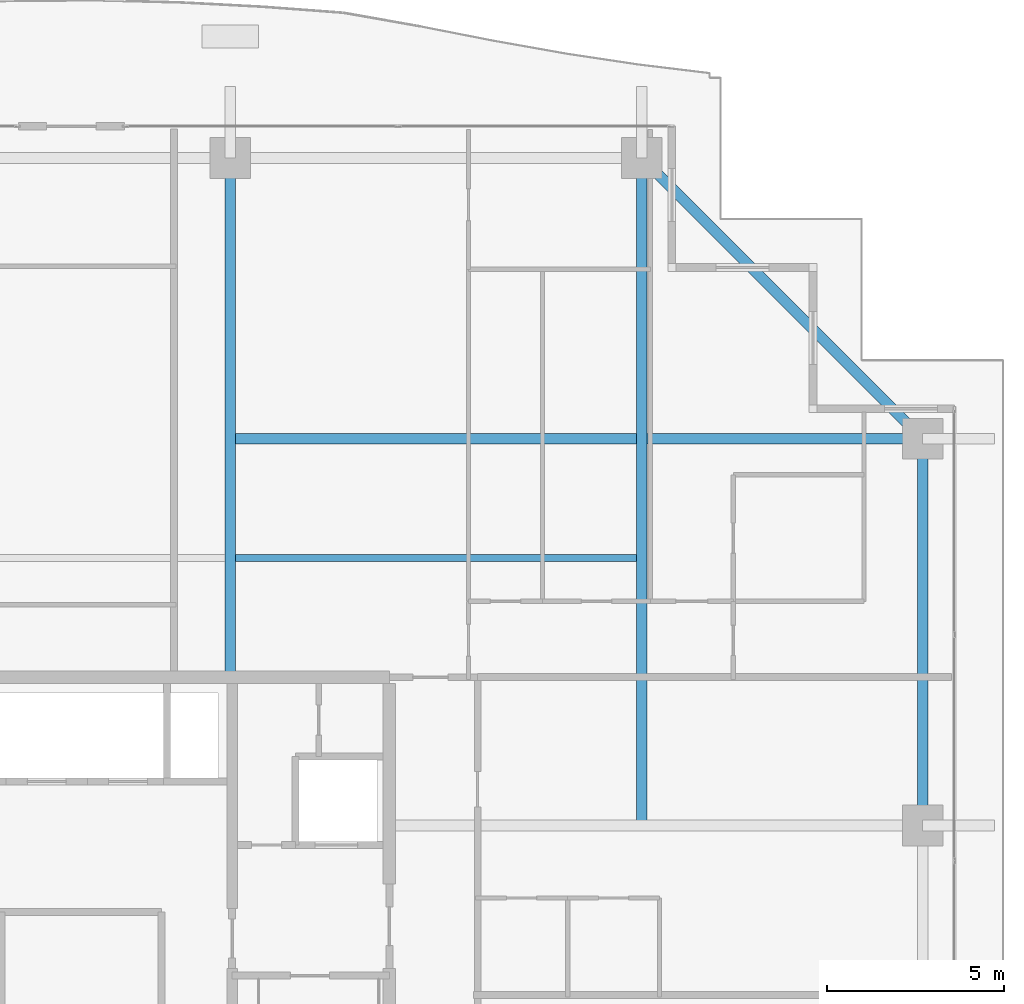
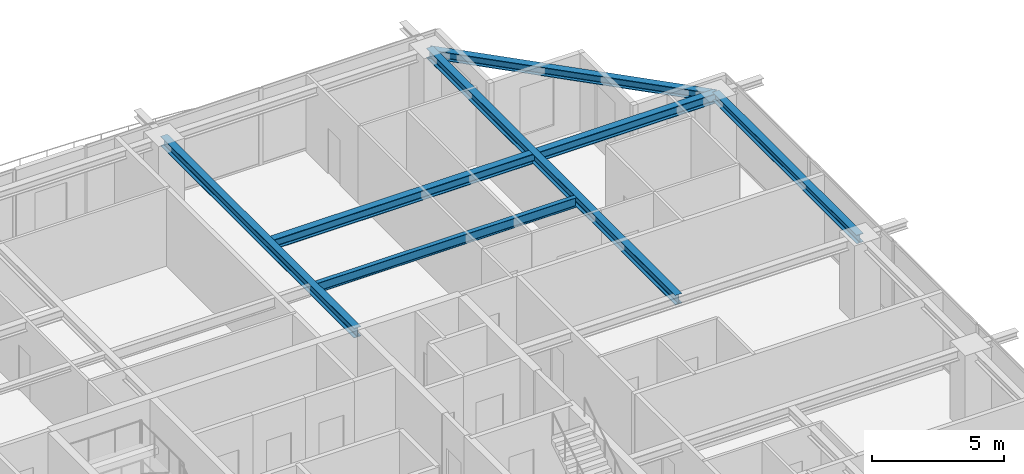
# One storey, part 23 of 38: 6 beams.
"""IFC4 building model written with IfcOpenShell, lengths in metres."""

from ifc_helpers import new_model, si_unit, direction, frame, origin, origin_2d, place, context, subcontext, project, spatial, i_section, extrude, source, transform, mapped, material, material_profile, profile_set, type_object, element, save


model = new_model("IFC4")

# Units and contexts
model_context = context("Model", 3, precision=1e-05, world=origin(), true_north=direction((0.0, 1.0)))
body_context = subcontext(model_context, "Body", "Model", "MODEL_VIEW")
ifc_project = project(units=[si_unit("LENGTHUNIT", "METRE"), si_unit("AREAUNIT", "SQUARE_METRE"), si_unit("VOLUMEUNIT", "CUBIC_METRE"), si_unit("PLANEANGLEUNIT", "RADIAN"), si_unit("MASSUNIT", "GRAM", prefix="KILO")], contexts=[model_context])

# Site, building, storey
site_placement = place(None, origin())
site = spatial("IfcSite", under=ifc_project, at=site_placement, CompositionType="ELEMENT")
building_placement = place(site_placement, origin())
building = spatial("IfcBuilding", under=site, at=building_placement, Name="Serunith Strait Residences", CompositionType="ELEMENT")
storey_placement = place(building_placement, frame((0.0, 0.0, 237.39990234375)))
storey = spatial("IfcBuildingStorey", under=building, at=storey_placement, Name="L59", CompositionType="ELEMENT", Elevation=237.39990234375)

# Beams
ifc_material = material(Name="Steel S355J2", Category="steel")
ifc_material_profile_1 = material_profile(ifc_material, i_section(OverallWidth=0.300048828125, OverallDepth=0.449951171875, WebThickness=0.013916015625, FlangeThickness=0.02587890625, FilletRadius=0.027099609375, at=origin_2d()), Name="HEB 450")
ifc_profile_set_1 = profile_set([ifc_material_profile_1], Name="Steel S355J2")
beam_type_1 = type_object("IfcBeamType", Name="BM-HEB450", PredefinedType="BEAM", material=ifc_profile_set_1)
shared_shape_1 = source(origin(), body_context, "Body", "SweptSolid", [
    extrude(i_section(OverallWidth=0.300048828125, OverallDepth=0.449951171875, WebThickness=0.013916015625, FlangeThickness=0.02587890625, FilletRadius=0.027099609375, at=origin_2d()), origin(), (0.0, 0.0, 1.0), 14.699951171875),
])
beam_1_placement = place(storey_placement, frame((36.89990234375, 33.60009765625, 3.362060546875), z_axis=(0.0, 1.0, 0.0), x_axis=(-1.0, 0.0, 0.0)))
element("IfcBeam", 1, at=beam_1_placement, inside=storey, type_object=beam_type_1, Name="L59 Primary Floor Girder TC-N3", PredefinedType="BEAM", context=body_context, shape_type="MappedRepresentation", body=[
    mapped(shared_shape_1, transform((0.0, 0.0, 0.0), scale=1.0)),
])
shared_shape_2 = source(origin(), body_context, "Body", "SweptSolid", [
    extrude(i_section(OverallWidth=0.300048828125, OverallDepth=0.449951171875, WebThickness=0.013916015625, FlangeThickness=0.02587890625, FilletRadius=0.027099609375, at=origin_2d()), origin(), (0.0, 0.0, 1.0), 18.900146484375),
])
beam_2_placement = place(storey_placement, frame((48.550048828125, 29.39990234375, 3.362060546875), z_axis=(0.0, 1.0, 0.0), x_axis=(-1.0, 0.0, 0.0)))
element("IfcBeam", 2, at=beam_2_placement, inside=storey, type_object=beam_type_1, Name="L59 Orthogonal Corner Girder TC-N4", PredefinedType="BEAM", context=body_context, shape_type="MappedRepresentation", body=[
    mapped(shared_shape_2, transform((0.0, 0.0, 0.0), scale=1.0)),
])
shared_shape_3 = source(origin(), body_context, "Body", "SweptSolid", [
    extrude(i_section(OverallWidth=0.300048828125, OverallDepth=0.449951171875, WebThickness=0.013916015625, FlangeThickness=0.02587890625, FilletRadius=0.027099609375, at=origin_2d()), origin(), (0.0, 0.0, 1.0), 19.60009765625),
])
beam_3_placement = place(storey_placement, frame((36.89990234375, 40.35009765625, 3.362060546875), z_axis=(1.0, 0.0, 0.0), x_axis=(0.0, 1.0, 0.0)))
element("IfcBeam", 3, at=beam_3_placement, inside=storey, type_object=beam_type_1, Name="L59 Orthogonal Corner Girder TC-E4", PredefinedType="BEAM", context=body_context, shape_type="MappedRepresentation", body=[
    mapped(shared_shape_3, transform((0.0, 0.0, 0.0), scale=1.0)),
])
ifc_material_profile_2 = material_profile(ifc_material, i_section(OverallWidth=0.300048828125, OverallDepth=0.39990234375, WebThickness=0.013427734375, FlangeThickness=0.02392578125, FilletRadius=0.027099609375, at=origin_2d()), Name="HEB 400")
ifc_profile_set_2 = profile_set([ifc_material_profile_2], Name="Steel S355J2")
beam_type_2 = type_object("IfcBeamType", Name="BM-HEB400", PredefinedType="BEAM", material=ifc_profile_set_2)
shared_shape_4 = source(origin(), body_context, "Body", "SweptSolid", [
    extrude(i_section(OverallWidth=0.300048828125, OverallDepth=0.39990234375, WebThickness=0.013427734375, FlangeThickness=0.02392578125, FilletRadius=0.027099609375, at=origin_2d()), origin(), (0.0, 0.0, 1.0), 11.242919921875),
])
beam_4_placement = place(storey_placement, frame((56.5, 40.35009765625, 3.357177734375), z_axis=(-0.707106781187, 0.707106781187, 0.0), x_axis=(-0.707106781187, -0.707106781187, 0.0)))
element("IfcBeam", 4, at=beam_4_placement, inside=storey, type_object=beam_type_2, Name="L59 Perimeter Ring Beam 08", PredefinedType="BEAM", context=body_context, shape_type="MappedRepresentation", body=[
    mapped(shared_shape_4, transform((0.0, 0.0, 0.0), scale=1.0)),
])
shared_shape_5 = source(origin(), body_context, "Body", "SweptSolid", [
    extrude(i_section(OverallWidth=0.300048828125, OverallDepth=0.39990234375, WebThickness=0.013427734375, FlangeThickness=0.02392578125, FilletRadius=0.027099609375, at=origin_2d()), origin(), (0.0, 0.0, 1.0), 10.9501953125),
])
beam_5_placement = place(storey_placement, frame((56.5, 29.39990234375, 3.38720703125), z_axis=(0.0, 1.0, 0.0), x_axis=(-1.0, 0.0, 0.0)))
element("IfcBeam", 5, at=beam_5_placement, inside=storey, type_object=beam_type_2, Name="L59 Perimeter Ring Beam 07", PredefinedType="BEAM", context=body_context, shape_type="MappedRepresentation", body=[
    mapped(shared_shape_5, transform((0.0, 0.0, 0.0), scale=1.0)),
])
ifc_material_profile_3 = material_profile(ifc_material, i_section(OverallWidth=0.18994140625, OverallDepth=0.449951171875, WebThickness=0.009521484375, FlangeThickness=0.0146484375, FilletRadius=0.02099609375, at=origin_2d()), Name="IPE 450")
ifc_profile_set_3 = profile_set([ifc_material_profile_3], Name="Steel S355J2")
beam_type_3 = type_object("IfcBeamType", Name="BM-IPE450", PredefinedType="JOIST", material=ifc_profile_set_3)
shared_shape_6 = source(origin(), body_context, "Body", "SweptSolid", [
    extrude(i_section(OverallWidth=0.18994140625, OverallDepth=0.449951171875, WebThickness=0.009521484375, FlangeThickness=0.0146484375, FilletRadius=0.02099609375, at=origin_2d()), origin(), (0.0, 0.0, 1.0), 11.349853515625),
])
beam_6_placement = place(storey_placement, frame((37.050048828125, 36.97509765625, 3.362060546875), z_axis=(1.0, 0.0, 0.0), x_axis=(0.0, 1.0, 0.0)))
element("IfcBeam", 6, at=beam_6_placement, inside=storey, type_object=beam_type_3, Name="L59 Composite Floor Joist 06", PredefinedType="JOIST", context=body_context, shape_type="MappedRepresentation", body=[
    mapped(shared_shape_6, transform((0.0, 0.0, 0.0), scale=1.0)),
])

save(model, "model.ifc")
